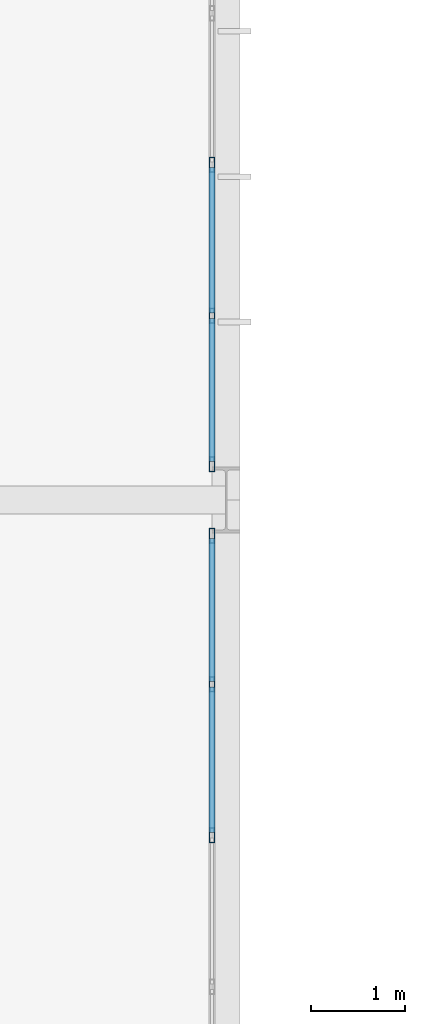
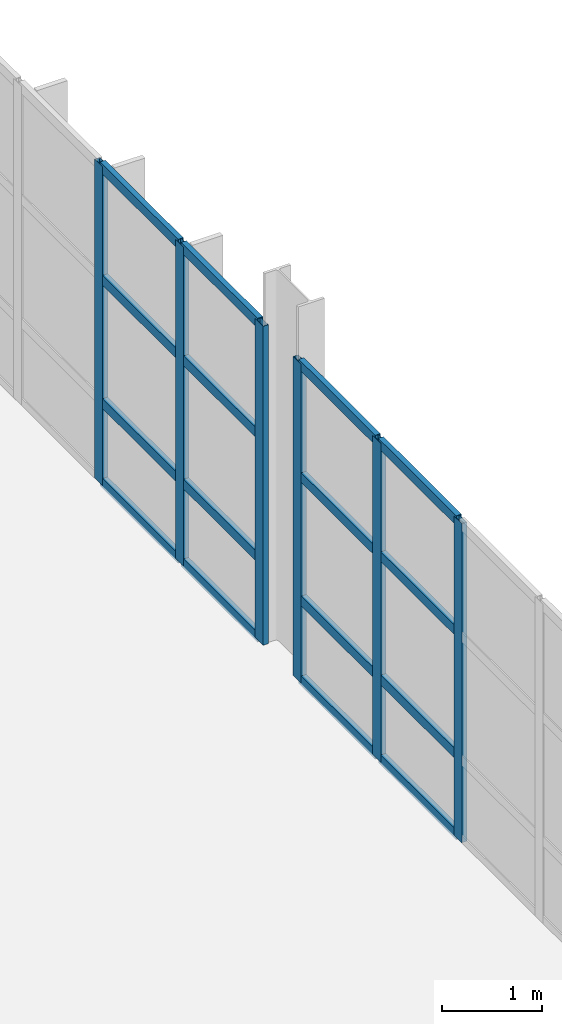
# One storey, part 78 of 113: 22 members, 2 elements without a shape of their own.
"""IFC4 building model written with IfcOpenShell, lengths in metres."""

from ifc_helpers import new_model, si_unit, direction, frame, origin, origin_2d, place, context, subcontext, project, spatial, hollow_rectangle, extrude, material, material_profile, profile_set, type_object, element, aggregate, save


model = new_model("IFC4")

# Units and contexts
model_context = context("Model", 3, precision=1e-05, world=origin(), true_north=direction((0.0, 1.0)))
body_context = subcontext(model_context, "Body", "Model", "MODEL_VIEW")
ifc_project = project(units=[si_unit("LENGTHUNIT", "METRE"), si_unit("AREAUNIT", "SQUARE_METRE"), si_unit("VOLUMEUNIT", "CUBIC_METRE"), si_unit("PLANEANGLEUNIT", "RADIAN"), si_unit("MASSUNIT", "GRAM", prefix="KILO")], contexts=[model_context])

# Site, building, storey
site_placement = place(None, origin())
site = spatial("IfcSite", under=ifc_project, at=site_placement, CompositionType="ELEMENT")
building_placement = place(site_placement, origin())
building = spatial("IfcBuilding", under=site, at=building_placement, Name="Veltarok Museum of Natural Sciences", CompositionType="ELEMENT")
storey_placement = place(building_placement, frame((0.0, 0.0, 8.39990234375)))
storey = spatial("IfcBuildingStorey", under=building, at=storey_placement, Name="L01", CompositionType="ELEMENT", Elevation=8.39990234375)

# Curtain wall, members
ifc_material_1 = material(Name="Low-iron triple insulated glass", Category="glass")
curtain_wall_type_1 = type_object("IfcCurtainWallType", Name="Curtain Wall System CW-V5E-L01-E-1130x388 (V5 East Lab L01 E-F 1130x388cm)", PredefinedType="NOTDEFINED", material=ifc_material_1)
curtain_wall_1_placement = place(storey_placement, origin())
curtain_wall_1 = element("IfcCurtainWall", 1, at=curtain_wall_1_placement, inside=storey, type_object=curtain_wall_type_1, Name="Curtain Wall CW-V5E-L01-E-1130x388 CW-0106", PredefinedType="NOTDEFINED")
ifc_material_2 = material(Name="Thermally broken anodised aluminium", Category="aluminium")
ifc_material_profile_1 = material_profile(ifc_material_2, hollow_rectangle(XDim=0.06005859375, YDim=0.1201171875, WallThickness=0.0048828125, at=origin_2d()), Name="CW TRANSOM 60x120x5")
ifc_profile_set_1 = profile_set([ifc_material_profile_1], Name="Thermally broken anodised aluminium")
member_type_1 = type_object("IfcMemberType", Name="Curtain Wall Horizontal Transom 60x120x5", PredefinedType="USERDEFINED", material=ifc_profile_set_1)
member_1_placement = place(storey_placement, frame((164.64990234375, 44.451416015625, 0.030029296875), z_axis=(0.0, 1.0, 0.0), x_axis=(-1.0, 0.0, 0.0)))
member_1 = element("IfcMember", 2, at=member_1_placement, type_object=member_type_1, Name="CW-V5E-L01-E-1130x388 transom 6.1", ObjectType="TRANSOM", PredefinedType="USERDEFINED", context=body_context, shape_type="SweptSolid", body=[
    extrude(hollow_rectangle(XDim=0.06005859375, YDim=0.1201171875, WallThickness=0.0048828125, at=origin_2d()), origin(), (0.0, 0.0, 1.0), 1.55419921875),
])
member_2_placement = place(storey_placement, frame((164.64990234375, 44.451416015625, 1.0), z_axis=(0.0, 1.0, 0.0), x_axis=(-1.0, 0.0, 0.0)))
member_2 = element("IfcMember", 3, at=member_2_placement, type_object=member_type_1, Name="CW-V5E-L01-E-1130x388 transom 6.2", ObjectType="TRANSOM", PredefinedType="USERDEFINED", context=body_context, shape_type="SweptSolid", body=[
    extrude(hollow_rectangle(XDim=0.06005859375, YDim=0.1201171875, WallThickness=0.0048828125, at=origin_2d()), origin(), (0.0, 0.0, 1.0), 1.55419921875),
])
member_3_placement = place(storey_placement, frame((164.64990234375, 44.451416015625, 2.5), z_axis=(0.0, 1.0, 0.0), x_axis=(-1.0, 0.0, 0.0)))
member_3 = element("IfcMember", 4, at=member_3_placement, type_object=member_type_1, Name="CW-V5E-L01-E-1130x388 transom 6.3", ObjectType="TRANSOM", PredefinedType="USERDEFINED", context=body_context, shape_type="SweptSolid", body=[
    extrude(hollow_rectangle(XDim=0.06005859375, YDim=0.1201171875, WallThickness=0.0048828125, at=origin_2d()), origin(), (0.0, 0.0, 1.0), 1.55419921875),
])
member_4_placement = place(storey_placement, frame((164.64990234375, 44.451416015625, 3.85009765625), z_axis=(0.0, 1.0, 0.0), x_axis=(-1.0, 0.0, 0.0)))
member_4 = element("IfcMember", 5, at=member_4_placement, type_object=member_type_1, Name="CW-V5E-L01-E-1130x388 transom 6.4", ObjectType="TRANSOM", PredefinedType="USERDEFINED", context=body_context, shape_type="SweptSolid", body=[
    extrude(hollow_rectangle(XDim=0.06005859375, YDim=0.1201171875, WallThickness=0.0048828125, at=origin_2d()), origin(), (0.0, 0.0, 1.0), 1.55419921875),
])
member_5_placement = place(storey_placement, frame((164.64990234375, 46.065673828125, 0.030029296875), z_axis=(0.0, 1.0, 0.0), x_axis=(-1.0, 0.0, 0.0)))
member_5 = element("IfcMember", 6, at=member_5_placement, type_object=member_type_1, Name="CW-V5E-L01-E-1130x388 transom 7.1", ObjectType="TRANSOM", PredefinedType="USERDEFINED", context=body_context, shape_type="SweptSolid", body=[
    extrude(hollow_rectangle(XDim=0.06005859375, YDim=0.1201171875, WallThickness=0.0048828125, at=origin_2d()), origin(), (0.0, 0.0, 1.0), 1.5244140625),
])
member_6_placement = place(storey_placement, frame((164.64990234375, 46.065673828125, 1.0), z_axis=(0.0, 1.0, 0.0), x_axis=(-1.0, 0.0, 0.0)))
member_6 = element("IfcMember", 7, at=member_6_placement, type_object=member_type_1, Name="CW-V5E-L01-E-1130x388 transom 7.2", ObjectType="TRANSOM", PredefinedType="USERDEFINED", context=body_context, shape_type="SweptSolid", body=[
    extrude(hollow_rectangle(XDim=0.06005859375, YDim=0.1201171875, WallThickness=0.0048828125, at=origin_2d()), origin(), (0.0, 0.0, 1.0), 1.5244140625),
])
member_7_placement = place(storey_placement, frame((164.64990234375, 46.065673828125, 2.5), z_axis=(0.0, 1.0, 0.0), x_axis=(-1.0, 0.0, 0.0)))
member_7 = element("IfcMember", 8, at=member_7_placement, type_object=member_type_1, Name="CW-V5E-L01-E-1130x388 transom 7.3", ObjectType="TRANSOM", PredefinedType="USERDEFINED", context=body_context, shape_type="SweptSolid", body=[
    extrude(hollow_rectangle(XDim=0.06005859375, YDim=0.1201171875, WallThickness=0.0048828125, at=origin_2d()), origin(), (0.0, 0.0, 1.0), 1.5244140625),
])
member_8_placement = place(storey_placement, frame((164.64990234375, 46.065673828125, 3.85009765625), z_axis=(0.0, 1.0, 0.0), x_axis=(-1.0, 0.0, 0.0)))
member_8 = element("IfcMember", 9, at=member_8_placement, type_object=member_type_1, Name="CW-V5E-L01-E-1130x388 transom 7.4", ObjectType="TRANSOM", PredefinedType="USERDEFINED", context=body_context, shape_type="SweptSolid", body=[
    extrude(hollow_rectangle(XDim=0.06005859375, YDim=0.1201171875, WallThickness=0.0048828125, at=origin_2d()), origin(), (0.0, 0.0, 1.0), 1.5244140625),
])

curtain_wall_type_2 = type_object("IfcCurtainWallType", Name="Curtain Wall System CW-V5E-L01-F-1130x388 (V5 East Lab L01 F-G 1130x388cm)", PredefinedType="NOTDEFINED", material=ifc_material_1)
curtain_wall_2_placement = place(storey_placement, origin())
curtain_wall_2 = element("IfcCurtainWall", 10, at=curtain_wall_2_placement, inside=storey, type_object=curtain_wall_type_2, Name="Curtain Wall CW-V5E-L01-F-1130x388 CW-0107", PredefinedType="NOTDEFINED")
member_9_placement = place(storey_placement, frame((164.64990234375, 48.409912109375, 0.030029296875), z_axis=(0.0, 1.0, 0.0), x_axis=(-1.0, 0.0, 0.0)))
member_9 = element("IfcMember", 11, at=member_9_placement, type_object=member_type_1, Name="CW-V5E-L01-F-1130x388 transom 1.1", ObjectType="TRANSOM", PredefinedType="USERDEFINED", context=body_context, shape_type="SweptSolid", body=[
    extrude(hollow_rectangle(XDim=0.06005859375, YDim=0.1201171875, WallThickness=0.0048828125, at=origin_2d()), origin(), (0.0, 0.0, 1.0), 1.5244140625),
])
member_10_placement = place(storey_placement, frame((164.64990234375, 48.409912109375, 1.0), z_axis=(0.0, 1.0, 0.0), x_axis=(-1.0, 0.0, 0.0)))
member_10 = element("IfcMember", 12, at=member_10_placement, type_object=member_type_1, Name="CW-V5E-L01-F-1130x388 transom 1.2", ObjectType="TRANSOM", PredefinedType="USERDEFINED", context=body_context, shape_type="SweptSolid", body=[
    extrude(hollow_rectangle(XDim=0.06005859375, YDim=0.1201171875, WallThickness=0.0048828125, at=origin_2d()), origin(), (0.0, 0.0, 1.0), 1.5244140625),
])
member_11_placement = place(storey_placement, frame((164.64990234375, 48.409912109375, 2.5), z_axis=(0.0, 1.0, 0.0), x_axis=(-1.0, 0.0, 0.0)))
member_11 = element("IfcMember", 13, at=member_11_placement, type_object=member_type_1, Name="CW-V5E-L01-F-1130x388 transom 1.3", ObjectType="TRANSOM", PredefinedType="USERDEFINED", context=body_context, shape_type="SweptSolid", body=[
    extrude(hollow_rectangle(XDim=0.06005859375, YDim=0.1201171875, WallThickness=0.0048828125, at=origin_2d()), origin(), (0.0, 0.0, 1.0), 1.5244140625),
])
member_12_placement = place(storey_placement, frame((164.64990234375, 48.409912109375, 3.85009765625), z_axis=(0.0, 1.0, 0.0), x_axis=(-1.0, 0.0, 0.0)))
member_12 = element("IfcMember", 14, at=member_12_placement, type_object=member_type_1, Name="CW-V5E-L01-F-1130x388 transom 1.4", ObjectType="TRANSOM", PredefinedType="USERDEFINED", context=body_context, shape_type="SweptSolid", body=[
    extrude(hollow_rectangle(XDim=0.06005859375, YDim=0.1201171875, WallThickness=0.0048828125, at=origin_2d()), origin(), (0.0, 0.0, 1.0), 1.5244140625),
])
member_13_placement = place(storey_placement, frame((164.64990234375, 49.994384765625, 0.030029296875), z_axis=(0.0, 1.0, 0.0), x_axis=(-1.0, 0.0, 0.0)))
member_13 = element("IfcMember", 15, at=member_13_placement, type_object=member_type_1, Name="CW-V5E-L01-F-1130x388 transom 2.1", ObjectType="TRANSOM", PredefinedType="USERDEFINED", context=body_context, shape_type="SweptSolid", body=[
    extrude(hollow_rectangle(XDim=0.06005859375, YDim=0.1201171875, WallThickness=0.0048828125, at=origin_2d()), origin(), (0.0, 0.0, 1.0), 1.55419921875),
])
member_14_placement = place(storey_placement, frame((164.64990234375, 49.994384765625, 1.0), z_axis=(0.0, 1.0, 0.0), x_axis=(-1.0, 0.0, 0.0)))
member_14 = element("IfcMember", 16, at=member_14_placement, type_object=member_type_1, Name="CW-V5E-L01-F-1130x388 transom 2.2", ObjectType="TRANSOM", PredefinedType="USERDEFINED", context=body_context, shape_type="SweptSolid", body=[
    extrude(hollow_rectangle(XDim=0.06005859375, YDim=0.1201171875, WallThickness=0.0048828125, at=origin_2d()), origin(), (0.0, 0.0, 1.0), 1.55419921875),
])
member_15_placement = place(storey_placement, frame((164.64990234375, 49.994384765625, 2.5), z_axis=(0.0, 1.0, 0.0), x_axis=(-1.0, 0.0, 0.0)))
member_15 = element("IfcMember", 17, at=member_15_placement, type_object=member_type_1, Name="CW-V5E-L01-F-1130x388 transom 2.3", ObjectType="TRANSOM", PredefinedType="USERDEFINED", context=body_context, shape_type="SweptSolid", body=[
    extrude(hollow_rectangle(XDim=0.06005859375, YDim=0.1201171875, WallThickness=0.0048828125, at=origin_2d()), origin(), (0.0, 0.0, 1.0), 1.55419921875),
])
member_16_placement = place(storey_placement, frame((164.64990234375, 49.994384765625, 3.85009765625), z_axis=(0.0, 1.0, 0.0), x_axis=(-1.0, 0.0, 0.0)))
member_16 = element("IfcMember", 18, at=member_16_placement, type_object=member_type_1, Name="CW-V5E-L01-F-1130x388 transom 2.4", ObjectType="TRANSOM", PredefinedType="USERDEFINED", context=body_context, shape_type="SweptSolid", body=[
    extrude(hollow_rectangle(XDim=0.06005859375, YDim=0.1201171875, WallThickness=0.0048828125, at=origin_2d()), origin(), (0.0, 0.0, 1.0), 1.55419921875),
])

# Member
ifc_material_profile_2 = material_profile(ifc_material_2, hollow_rectangle(XDim=0.06005859375, YDim=0.159912109375, WallThickness=0.0048828125, at=origin_2d()), Name="CW MULLION 60x160x5")
ifc_profile_set_2 = profile_set([ifc_material_profile_2], Name="Thermally broken anodised aluminium")
member_type_2 = type_object("IfcMemberType", Name="Curtain Wall Vertical Mullion 60x160x5", PredefinedType="MULLION", material=ifc_profile_set_2)
member_17_placement = place(storey_placement, frame((164.64990234375, 44.42138671875, 0.0), z_axis=(0.0, 0.0, 1.0), x_axis=(-1.0, 0.0, 0.0)))
member_17 = element("IfcMember", 19, at=member_17_placement, type_object=member_type_2, Name="CW-V5E-L01-E-1130x388 mullion 6", PredefinedType="MULLION", context=body_context, shape_type="SweptSolid", body=[
    extrude(hollow_rectangle(XDim=0.06005859375, YDim=0.159912109375, WallThickness=0.0048828125, at=origin_2d()), origin(), (0.0, 0.0, 1.0), 3.880126953125),
])

member_18_placement = place(storey_placement, frame((164.64990234375, 46.03564453125, 0.0), z_axis=(0.0, 0.0, 1.0), x_axis=(-1.0, 0.0, 0.0)))
member_18 = element("IfcMember", 20, at=member_18_placement, type_object=member_type_2, Name="CW-V5E-L01-E-1130x388 mullion 7", PredefinedType="MULLION", context=body_context, shape_type="SweptSolid", body=[
    extrude(hollow_rectangle(XDim=0.06005859375, YDim=0.159912109375, WallThickness=0.0048828125, at=origin_2d()), origin(), (0.0, 0.0, 1.0), 3.880126953125),
])

member_19_placement = place(storey_placement, frame((164.64990234375, 47.6201171875, 0.0), z_axis=(0.0, 0.0, 1.0), x_axis=(-1.0, 0.0, 0.0)))
member_19 = element("IfcMember", 21, at=member_19_placement, type_object=member_type_2, Name="CW-V5E-L01-E-1130x388 mullion 8", PredefinedType="MULLION", context=body_context, shape_type="SweptSolid", body=[
    extrude(hollow_rectangle(XDim=0.06005859375, YDim=0.159912109375, WallThickness=0.0048828125, at=origin_2d()), origin(), (0.0, 0.0, 1.0), 3.880126953125),
])

aggregate(curtain_wall_1, [member_17, member_18, member_19, member_1, member_2, member_3, member_4, member_5, member_6, member_7, member_8])

member_20_placement = place(storey_placement, frame((164.64990234375, 48.3798828125, 0.0), z_axis=(0.0, 0.0, 1.0), x_axis=(-1.0, 0.0, 0.0)))
member_20 = element("IfcMember", 22, at=member_20_placement, type_object=member_type_2, Name="CW-V5E-L01-F-1130x388 mullion 1", PredefinedType="MULLION", context=body_context, shape_type="SweptSolid", body=[
    extrude(hollow_rectangle(XDim=0.06005859375, YDim=0.159912109375, WallThickness=0.0048828125, at=origin_2d()), origin(), (0.0, 0.0, 1.0), 3.880126953125),
])

member_21_placement = place(storey_placement, frame((164.64990234375, 49.96435546875, 0.0), z_axis=(0.0, 0.0, 1.0), x_axis=(-1.0, 0.0, 0.0)))
member_21 = element("IfcMember", 23, at=member_21_placement, type_object=member_type_2, Name="CW-V5E-L01-F-1130x388 mullion 2", PredefinedType="MULLION", context=body_context, shape_type="SweptSolid", body=[
    extrude(hollow_rectangle(XDim=0.06005859375, YDim=0.159912109375, WallThickness=0.0048828125, at=origin_2d()), origin(), (0.0, 0.0, 1.0), 3.880126953125),
])

member_22_placement = place(storey_placement, frame((164.64990234375, 51.57861328125, 0.0), z_axis=(0.0, 0.0, 1.0), x_axis=(-1.0, 0.0, 0.0)))
member_22 = element("IfcMember", 24, at=member_22_placement, type_object=member_type_2, Name="CW-V5E-L01-F-1130x388 mullion 3", PredefinedType="MULLION", context=body_context, shape_type="SweptSolid", body=[
    extrude(hollow_rectangle(XDim=0.06005859375, YDim=0.159912109375, WallThickness=0.0048828125, at=origin_2d()), origin(), (0.0, 0.0, 1.0), 3.880126953125),
])

aggregate(curtain_wall_2, [member_20, member_21, member_22, member_9, member_10, member_11, member_12, member_13, member_14, member_15, member_16])

save(model, "model.ifc")
